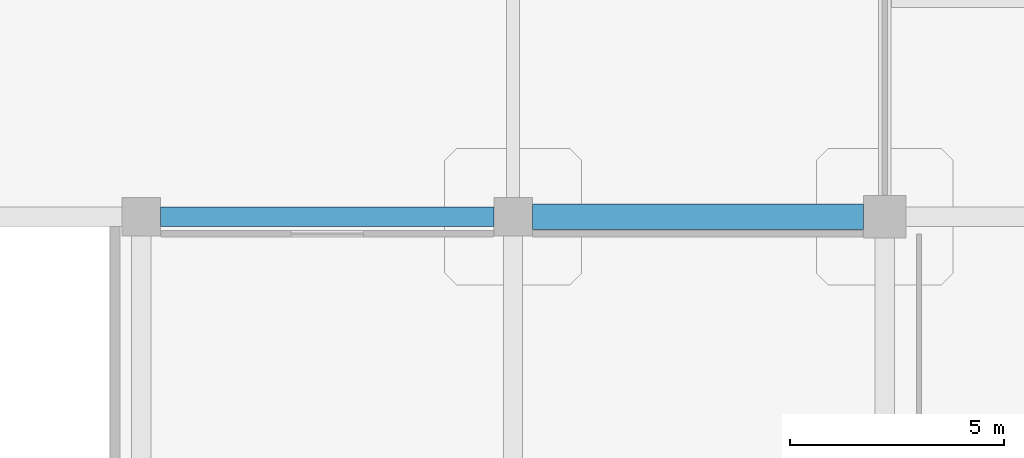
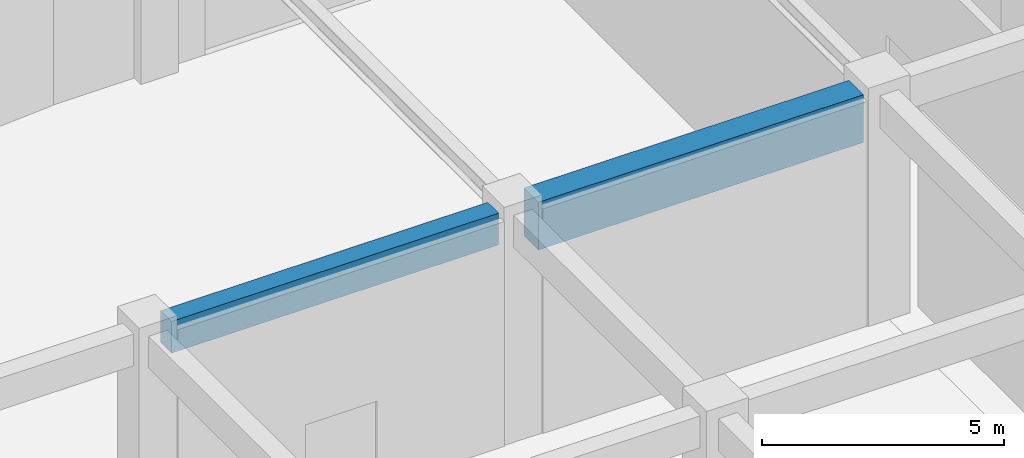
# One storey, part 11 of 82: 2 beams.
"""IFC4 building model written with IfcOpenShell, lengths in metres."""

from ifc_helpers import new_model, si_unit, derived_unit, direction, frame, origin, origin_2d, place, context, subcontext, project, spatial, rectangle, extrude, material, material_profile, profile_set, type_object, element, save


model = new_model("IFC4")

# Units and contexts
model_context = context("Model", 3, precision=1e-05, world=origin(), true_north=direction((0.0, 1.0)))
body_context = subcontext(model_context, "Body", "Model", "MODEL_VIEW")
ifc_project = project(units=[si_unit("LENGTHUNIT", "METRE"), si_unit("AREAUNIT", "SQUARE_METRE"), si_unit("VOLUMEUNIT", "CUBIC_METRE"), si_unit("PLANEANGLEUNIT", "RADIAN"), si_unit("MASSUNIT", "GRAM", prefix="KILO"), derived_unit("THERMALTRANSMITTANCEUNIT", [(si_unit("MASSUNIT", "GRAM", prefix="KILO"), 1), (si_unit("TIMEUNIT", "SECOND"), -3), (si_unit("THERMODYNAMICTEMPERATUREUNIT", "KELVIN"), -1)])], contexts=[model_context])

# Site, building, storey
site_placement = place(None, origin())
site = spatial("IfcSite", under=ifc_project, at=site_placement, CompositionType="ELEMENT")
building_placement = place(site_placement, origin())
building = spatial("IfcBuilding", under=site, at=building_placement, Name="Qinzheling Arcade Emporium", CompositionType="ELEMENT")
storey_placement = place(building_placement, origin())
storey = spatial("IfcBuildingStorey", under=building, at=storey_placement, Name="L01", CompositionType="ELEMENT", Elevation=0.0)

# Beams
ifc_material = material(Name="Concrete C40", Category="concrete")
ifc_material_profile_1 = material_profile(ifc_material, rectangle(XDim=0.449951171875, YDim=0.800048828125, at=origin_2d()), Name="RC 450x800", Category="concrete")
ifc_profile_set_1 = profile_set([ifc_material_profile_1], Name="Concrete C40")
beam_type_1 = type_object("IfcBeamType", Name="RC Primary Frame Beam 450x800 C40", PredefinedType="BEAM", material=ifc_profile_set_1)
beam_1_placement = place(storey_placement, frame((17.85009765625, 50.39990234375, 5.320068359375), z_axis=(1.0, 0.0, 0.0), x_axis=(0.0, 1.0, 0.0)))
element("IfcBeam", 1, at=beam_1_placement, inside=storey, type_object=beam_type_1, Name="Beam BM-L01-X-G-3", PredefinedType="BEAM", context=body_context, shape_type="SweptSolid", body=[
    extrude(rectangle(XDim=0.449951171875, YDim=0.800048828125, at=origin_2d()), origin(), (0.0, 0.0, 1.0), 7.7998046875),
])
ifc_material_profile_2 = material_profile(ifc_material, rectangle(XDim=0.60009765625, YDim=1.199951171875, at=origin_2d()), Name="RC 600x1200", Category="concrete")
ifc_profile_set_2 = profile_set([ifc_material_profile_2], Name="Concrete C40")
beam_type_2 = type_object("IfcBeamType", Name="RC Transfer Girder 600x1200 C40", PredefinedType="USERDEFINED", material=ifc_profile_set_2)
beam_2_placement = place(storey_placement, frame((26.550048828125, 50.39990234375, 5.1201171875), z_axis=(1.0, 0.0, 0.0), x_axis=(0.0, 1.0, 0.0)))
element("IfcBeam", 2, at=beam_2_placement, inside=storey, type_object=beam_type_2, Name="Beam BM-L01-X-G-4", ObjectType="TRANSFER_GIRDER", PredefinedType="USERDEFINED", context=body_context, shape_type="SweptSolid", body=[
    extrude(rectangle(XDim=0.60009765625, YDim=1.199951171875, at=origin_2d()), origin(), (0.0, 0.0, 1.0), 7.75),
])

save(model, "model.ifc")
